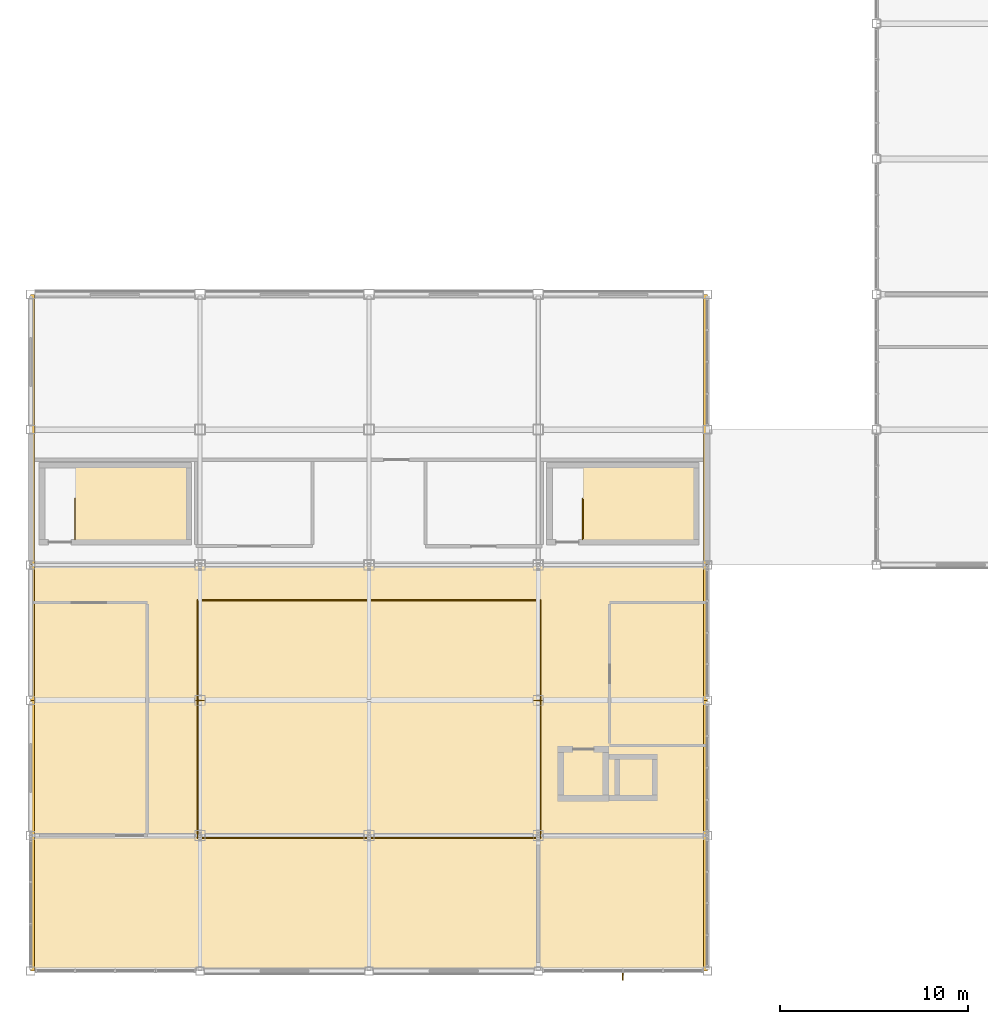
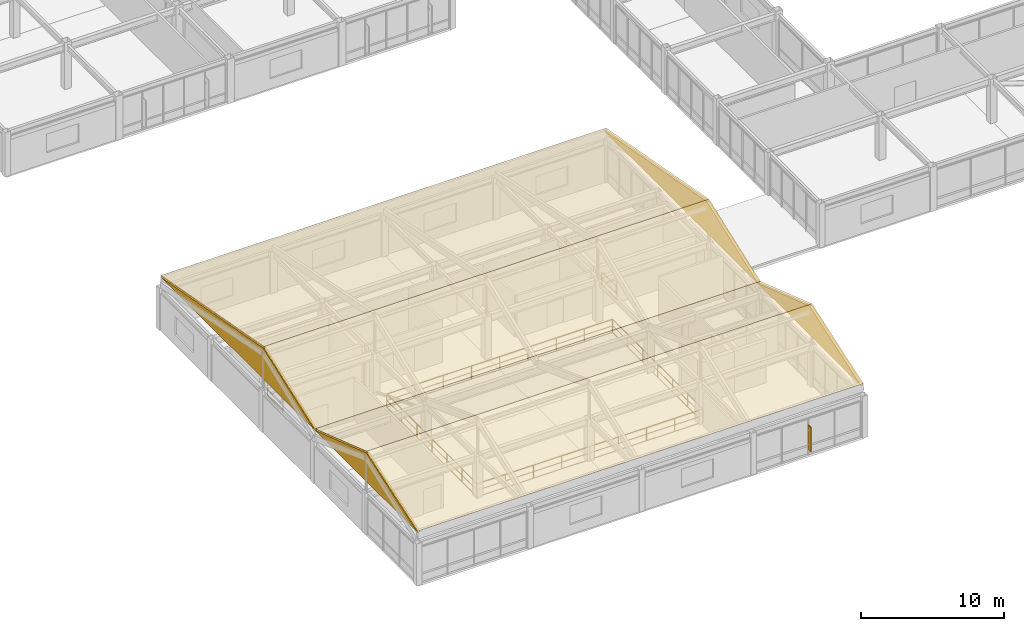
# One storey, part 107 of 113: 8 coverings, 6 railings, 1 shading device.
"""IFC4 building model written with IfcOpenShell, lengths in metres."""

import ifcopenshell
import ifcopenshell.guid

model = None  # the IFC model being written
_history = None  # IfcOwnerHistory: only IFC2X3 demands one
_inside = {}  # id of a spatial element -> (the spatial element, [elements in it])
_under = {}  # id of a project, library or spatial element -> (it, [spatial elements below it])
_declared = {}  # id of a project -> (the project, [libraries it declares])
_typed = {}  # id of a type object -> (the type object, [elements of that type])
_made_of = {}  # id of a material, layer set ... -> (it, [elements and type objects made of it])


def new_model(schema):
    """Start an empty IFC model of exactly this schema.

    Asked for "IFC4X3", IfcOpenShell would pick the latest addendum, in which some entities
    have other attributes; the version numbers below select the first issue.
    IFC2X3 requires an IfcOwnerHistory on every rooted entity: one is made here for all.
    """
    global model, _history
    if schema == "IFC4X3":
        model = ifcopenshell.file(schema_version=(4, 3, 0, 0))
    else:
        model = ifcopenshell.file(schema=schema)
    _inside.clear()
    _under.clear()
    _declared.clear()
    _typed.clear()
    _made_of.clear()
    _history = None
    if model.schema == "IFC2X3":
        org = make("IfcOrganization", Name="unknown")
        user = make(
            "IfcPersonAndOrganization",
            ThePerson=make("IfcPerson", FamilyName="unknown"),
            TheOrganization=org,
        )
        app = make(
            "IfcApplication",
            ApplicationDeveloper=org,
            Version="unknown",
            ApplicationFullName="unknown",
            ApplicationIdentifier="unknown",
        )
        _history = make(
            "IfcOwnerHistory",
            OwningUser=user,
            OwningApplication=app,
            ChangeAction="ADDED",
            CreationDate=0,
        )
    return model


def make(cls, **values):
    """One entity of the class cls with the attributes given. An attribute that is None is left unset."""
    return model.create_entity(
        cls, **{name: value for name, value in values.items() if value is not None}
    )


def rooted(cls, **values):
    """An entity with a GlobalId (a new one), such as an element, a storey or a relation."""
    return make(cls, GlobalId=ifcopenshell.guid.new(), OwnerHistory=_history, **values)


def si_unit(unit_type, name, prefix=None):
    """IfcSIUnit, for example si_unit("LENGTHUNIT", "METRE", prefix="MILLI")."""
    return make("IfcSIUnit", UnitType=unit_type, Prefix=prefix, Name=name)


def assignment(units):
    """IfcUnitAssignment: the units of a project."""
    return None if units is None else make("IfcUnitAssignment", Units=units)


def point(xyz):
    """IfcCartesianPoint."""
    return None if xyz is None else make("IfcCartesianPoint", Coordinates=xyz)


def direction(xyz):
    """IfcDirection."""
    return None if xyz is None else make("IfcDirection", DirectionRatios=xyz)


def frame(location, z_axis=None, x_axis=None):
    """IfcAxis2Placement3D, a coordinate frame: its origin and axes. An axis left out is left unset."""
    return make(
        "IfcAxis2Placement3D",
        Location=point(location),
        Axis=direction(z_axis),
        RefDirection=direction(x_axis),
    )


def frame_2d(location, x_axis=None):
    """IfcAxis2Placement2D, a coordinate frame in the plane: its origin and x axis."""
    return make(
        "IfcAxis2Placement2D", Location=point(location), RefDirection=direction(x_axis)
    )


def origin():
    """The frame at (0, 0, 0) with its axes left unset."""
    return frame((0.0, 0.0, 0.0))


def origin_2d():
    """The frame at (0, 0) in the plane with its x axis left unset."""
    return frame_2d((0.0, 0.0))


def place(relative_to, where):
    """IfcLocalPlacement: puts the frame where relative to a parent placement (None: the world)."""
    return make(
        "IfcLocalPlacement", PlacementRelTo=relative_to, RelativePlacement=where
    )


def context(
    kind, dimensions, precision=None, world=None, true_north=None, identifier=None
):
    """IfcGeometricRepresentationContext, for example the 3D "Model" context."""
    return make(
        "IfcGeometricRepresentationContext",
        ContextIdentifier=identifier,
        ContextType=kind,
        CoordinateSpaceDimension=dimensions,
        Precision=precision,
        WorldCoordinateSystem=world,
        TrueNorth=true_north,
    )


def subcontext(parent, identifier, kind, view, scale=None):
    """IfcGeometricRepresentationSubContext, for example "Body" below "Model"."""
    return make(
        "IfcGeometricRepresentationSubContext",
        ContextIdentifier=identifier,
        ContextType=kind,
        ParentContext=parent,
        TargetScale=scale,
        TargetView=view,
    )


def project(units=None, contexts=None):
    """IfcProject with its units and contexts."""
    return rooted(
        "IfcProject",
        Name="project",
        RepresentationContexts=contexts,
        UnitsInContext=assignment(units),
    )


def spatial(cls, under=None, at=None, **own):
    """A site, building, storey or space (cls), placed at a placement, below another one or the project."""
    s = rooted(cls, ObjectPlacement=at, **own)
    if under is not None:
        _under.setdefault(under.id(), (under, []))[1].append(s)
    return s


def polyline(points):
    """IfcPolyline through the points."""
    return make("IfcPolyline", Points=[point(p) for p in points])


def profile(cls, at=None, kind="AREA", **sizes):
    """A parametric profile (cls). Its sizes go by their IFC names, for example OverallWidth=200.0."""
    return make(cls, ProfileType=kind, Position=at, **sizes)


def rectangle(**sizes):
    """IfcRectangleProfileDef."""
    return profile("IfcRectangleProfileDef", **sizes)


def outline(outer, holes=None, kind="AREA"):
    """IfcArbitraryClosedProfileDef: a profile drawn as a closed curve; with holes, ...WithVoids."""
    if holes is None:
        return make("IfcArbitraryClosedProfileDef", ProfileType=kind, OuterCurve=outer)
    return make(
        "IfcArbitraryProfileDefWithVoids",
        ProfileType=kind,
        OuterCurve=outer,
        InnerCurves=holes,
    )


def extrude(swept, where, along, depth):
    """IfcExtrudedAreaSolid: the profile swept, set in the frame where, extruded along a direction by depth."""
    return make(
        "IfcExtrudedAreaSolid",
        SweptArea=swept,
        Position=where,
        ExtrudedDirection=direction(along),
        Depth=depth,
    )


def shape(context_of_items, identifier, shape_type, items):
    """IfcShapeRepresentation: the items that make up one representation, for example the "Body"."""
    return make(
        "IfcShapeRepresentation",
        ContextOfItems=context_of_items,
        RepresentationIdentifier=identifier,
        RepresentationType=shape_type,
        Items=items,
    )


def material(Name=None, Category=None):
    """IfcMaterial."""
    return make("IfcMaterial", Name=Name, Category=Category)


def layer(
    of_material, thickness, ventilated=None, Name=None, Category=None, Priority=None
):
    """IfcMaterialLayer: one layer of a wall or slab, of a material (None: an air gap)."""
    return make(
        "IfcMaterialLayer",
        Material=of_material,
        LayerThickness=thickness,
        IsVentilated=ventilated,
        Name=Name,
        Category=Category,
        Priority=Priority,
    )


def layer_set(layers, Name=None):
    """IfcMaterialLayerSet."""
    return make("IfcMaterialLayerSet", MaterialLayers=layers, LayerSetName=Name)


def made_of(thing, what):
    """Note that an element or type object is made of a material, layer set ...; save() writes the relation."""
    if what is not None:
        _made_of.setdefault(what.id(), (what, []))[1].append(thing)
    return thing


def type_object(cls, material=None, **own):
    """A type object (cls), such as IfcWallType, which elements share."""
    return made_of(rooted(cls, **own), material)


def element(
    cls,
    number,
    at=None,
    inside=None,
    cuts=None,
    type_object=None,
    material=None,
    context=None,
    identifier="Body",
    shape_type=None,
    held_by="IfcProductDefinitionShape",
    body=None,
    shapes=None,
    **own,
):
    """One element of the class cls, such as IfcWall. Its Tag is "e" and its number.

    at: its placement. inside: the storey or other place that contains it. cuts: it is an
    opening in that element (IfcRelVoidsElement). A single representation is given by context,
    identifier, shape_type and body (its items); several are given by shapes. held_by: the class
    of the entity that holds the representations. save() writes the other relations.
    """
    e = rooted(cls, Tag="e%d" % number, ObjectPlacement=at, **own)
    if body is not None:
        shapes = [shape(context, identifier, shape_type, body)]
    if shapes is not None:
        e.Representation = make(held_by, Representations=shapes)
    if inside is not None:
        _inside.setdefault(inside.id(), (inside, []))[1].append(e)
    if cuts is not None:
        rooted(
            "IfcRelVoidsElement", RelatingBuildingElement=cuts, RelatedOpeningElement=e
        )
    if type_object is not None:
        _typed.setdefault(type_object.id(), (type_object, []))[1].append(e)
    return made_of(e, material)


def aggregate(whole, parts):
    """IfcRelAggregates: a whole, such as a stair, and the parts it consists of."""
    return rooted("IfcRelAggregates", RelatingObject=whole, RelatedObjects=parts)


def save(model, path):
    """Write the relations noted so far, then the file.

    IfcRelAggregates (storeys below a building ...), IfcRelContainedInSpatialStructure (elements
    in a storey), IfcRelDefinesByType, IfcRelAssociatesMaterial and IfcRelDeclares: one each for
    every whole, place, type object, material and project.
    """
    for whole, parts in _under.values():
        aggregate(whole, parts)
    for where, things in _inside.values():
        rooted(
            "IfcRelContainedInSpatialStructure",
            RelatedElements=things,
            RelatingStructure=where,
        )
    for kind, things in _typed.values():
        rooted("IfcRelDefinesByType", RelatedObjects=things, RelatingType=kind)
    for what, things in _made_of.values():
        rooted("IfcRelAssociatesMaterial", RelatedObjects=things, RelatingMaterial=what)
    for by, libraries in _declared.values():
        rooted("IfcRelDeclares", RelatingContext=by, RelatedDefinitions=libraries)
    model.write(path)


model = new_model("IFC4")

# Units and contexts
model_context = context("Model", 3, precision=1e-05, world=origin(), true_north=direction((0.0, 1.0)))
body_context = subcontext(model_context, "Body", "Model", "MODEL_VIEW")
ifc_project = project(units=[si_unit("LENGTHUNIT", "METRE"), si_unit("AREAUNIT", "SQUARE_METRE"), si_unit("VOLUMEUNIT", "CUBIC_METRE"), si_unit("PLANEANGLEUNIT", "RADIAN"), si_unit("MASSUNIT", "GRAM", prefix="KILO")], contexts=[model_context])

# Site, building, storey
site_placement = place(None, origin())
site = spatial("IfcSite", under=ifc_project, at=site_placement, CompositionType="ELEMENT")
building_placement = place(site_placement, origin())
building = spatial("IfcBuilding", under=site, at=building_placement, Name="Kazanami Central Library", CompositionType="ELEMENT")
storey_placement = place(building_placement, frame((0.0, 0.0, 8.800048828125)))
storey = spatial("IfcBuildingStorey", under=building, at=storey_placement, Name="L03", CompositionType="ELEMENT", Elevation=8.800048828125)

# Coverings
ifc_material_1 = material(Name="Honed Inada Granite", Category="masonry")
ifc_layer_1 = layer(ifc_material_1, 0.199951171875, Name="Honed Inada Granite")
ifc_layer_set_1 = layer_set([ifc_layer_1], Name="Honed Inada Granite")
covering_type_1 = type_object("IfcCoveringType", Name="COV-GAB-200", PredefinedType="CLADDING", material=ifc_layer_set_1)
for number, where, z_axis, x_axis, name in (
    (1, (0.199951171875, 0.0, 4.35986328125), (1.0, 0.0, 0.0), (0.0, 1.0, 0.0), "Granite Gable Pediment FOLD-L03-V3-S (W)"),
    (2, (36.0, 0.0, 4.35986328125), (1.0, 0.0, 0.0), (0.0, 1.0, 0.0), "Granite Gable Pediment FOLD-L03-V3-S (E)"),
):
    element("IfcCovering", number, at=place(storey_placement, frame(where, z_axis=z_axis, x_axis=x_axis)), inside=storey, type_object=covering_type_1, Name=name, PredefinedType="CLADDING", context=body_context, shape_type="SweptSolid", body=[
        extrude(outline(polyline([(0.0, 0.0), (14.39990234375, 0.0), (7.199951171875, 2.4501953125), (0.0, 0.0)])), origin(), (0.0, 0.0, -1.0), 0.199951171875),
    ])
for number, where, z_axis, x_axis, name in (
    (3, (0.199951171875, 14.39990234375, 4.35986328125), (1.0, 0.0, 0.0), (0.0, 1.0, 0.0), "Granite Gable Pediment FOLD-L03-V3-N (W)"),
    (4, (36.0, 14.39990234375, 4.35986328125), (1.0, 0.0, 0.0), (0.0, 1.0, 0.0), "Granite Gable Pediment FOLD-L03-V3-N (E)"),
):
    element("IfcCovering", number, at=place(storey_placement, frame(where, z_axis=z_axis, x_axis=x_axis)), inside=storey, type_object=covering_type_1, Name=name, PredefinedType="CLADDING", context=body_context, shape_type="SweptSolid", body=[
        extrude(outline(polyline([(0.0, 0.0), (21.60009765625, 0.0), (7.2001953125, 2.650146484375), (0.0, 0.0)])), origin(), (0.0, 0.0, -1.0), 0.199951171875),
    ])
ifc_material_2 = material(Name="Standing-Seam Titanium Zinc")
ifc_layer_2 = layer(ifc_material_2, 0.034912109375, Name="Standing-Seam Titanium Zinc")
ifc_layer_set_2 = layer_set([ifc_layer_2], Name="Standing-Seam Titanium Zinc")
covering_type_2 = type_object("IfcCoveringType", Name="COV-ZNC-35", PredefinedType="ROOFING", material=ifc_layer_set_2)
for number, where, z_axis, x_axis, name in (
    (5, (0.0, 0.0, 4.4892578125), (0.0, -0.322134648064, 0.946693862089), (1.0, 0.0, 0.0), "Standing-Seam Zinc Roofing South FOLD-L03-V3-S"),
    (6, (36.0, 14.39990234375, 4.4892578125), (0.0, 0.322134648064, 0.946693862089), (-1.0, 0.0, 0.0), "Standing-Seam Zinc Roofing North FOLD-L03-V3-S"),
):
    element("IfcCovering", number, at=place(storey_placement, frame(where, z_axis=z_axis, x_axis=x_axis)), inside=storey, type_object=covering_type_2, Name=name, PredefinedType="ROOFING", context=body_context, shape_type="SweptSolid", body=[
        extrude(outline(polyline([(0.0, 0.0), (36.0, 0.0), (36.0, 7.605363740279349), (0.0, 7.605363740279349), (0.0, 0.0)])), origin(), (0.0, 0.0, -1.0), 0.034912109375),
    ])
covering_1_placement = place(storey_placement, frame((0.0, 14.39990234375, 4.49169921875), z_axis=(0.0, -0.345383870004, 0.938461497527), x_axis=(1.0, 0.0, 0.0)))
element("IfcCovering", 7, at=covering_1_placement, inside=storey, type_object=covering_type_2, Name="Standing-Seam Zinc Roofing South FOLD-L03-V3-N", PredefinedType="ROOFING", context=body_context, shape_type="SweptSolid", body=[
    extrude(outline(polyline([(0.0, 0.0), (36.0, 0.0), (36.0, 7.672339602074372), (0.0, 7.672339602074372), (0.0, 0.0)])), origin(), (0.0, 0.0, -1.0), 0.034912109375),
])
covering_2_placement = place(storey_placement, frame((36.0, 36.0, 4.489990234375), z_axis=(0.0, 0.180983330839, 0.983486163583), x_axis=(-1.0, 0.0, 0.0)))
element("IfcCovering", 8, at=covering_2_placement, inside=storey, type_object=covering_type_2, Name="Standing-Seam Zinc Roofing North FOLD-L03-V3-N", PredefinedType="ROOFING", context=body_context, shape_type="SweptSolid", body=[
    extrude(outline(polyline([(0.0, 0.0), (36.0, 0.0), (36.0, 14.641692864588729), (0.0, 14.641692864588729), (0.0, 0.0)])), origin(), (0.0, 0.0, -1.0), 0.034912109375),
])

# Railings
ifc_material_3 = material(Name="Stainless Steel SUS304", Category="steel")
railing_type_1 = type_object("IfcRailingType", Name="RAL-GR-A1", PredefinedType="GUARDRAIL", material=ifc_material_3)
railing_1_placement = place(storey_placement, frame((8.8798828125, 7.080078125, 0.0)))
element("IfcRailing", 9, at=railing_1_placement, inside=storey, type_object=railing_type_1, Name="Civic Auditorium Void Guard GR-A1 L03 (S)", PredefinedType="GUARDRAIL", context=body_context, shape_type="SweptSolid", body=[
    extrude(rectangle(XDim=0.0439453125, YDim=0.0439453125, at=origin_2d()), frame((0.02587890625, 0.0, 1.1279296875), z_axis=(1.0, 0.0, 0.0), x_axis=(0.0, 1.0, 0.0)), (0.0, 0.0, 1.0), 18.188232421875),
    extrude(rectangle(XDim=0.02392578125, YDim=0.02392578125, at=origin_2d()), frame((0.02587890625, 0.0, 0.015869140625), z_axis=(1.0, 0.0, 0.0), x_axis=(0.0, 1.0, 0.0)), (0.0, 0.0, 1.0), 18.188232421875),
    extrude(rectangle(XDim=0.02392578125, YDim=0.02392578125, at=origin_2d()), frame((0.02587890625, 0.0, 0.574951171875), z_axis=(1.0, 0.0, 0.0), x_axis=(0.0, 1.0, 0.0)), (0.0, 0.0, 1.0), 18.188232421875),
    extrude(rectangle(XDim=0.035888671875, YDim=0.035888671875, at=origin_2d()), origin(), (0.0, 0.0, 1.0), 1.10205078125),
    extrude(rectangle(XDim=0.035888671875, YDim=0.035888671875, at=origin_2d()), frame((2.280029296875, 0.0, 0.0)), (0.0, 0.0, 1.0), 1.10205078125),
    extrude(rectangle(XDim=0.035888671875, YDim=0.035888671875, at=origin_2d()), frame((4.56005859375, 0.0, 0.0)), (0.0, 0.0, 1.0), 1.10205078125),
    extrude(rectangle(XDim=0.035888671875, YDim=0.035888671875, at=origin_2d()), frame((6.840087890625, 0.0, 0.0)), (0.0, 0.0, 1.0), 1.10205078125),
    extrude(rectangle(XDim=0.035888671875, YDim=0.035888671875, at=origin_2d()), frame((9.1201171875, 0.0, 0.0)), (0.0, 0.0, 1.0), 1.10205078125),
    extrude(rectangle(XDim=0.035888671875, YDim=0.035888671875, at=origin_2d()), frame((11.400146484375, 0.0, 0.0)), (0.0, 0.0, 1.0), 1.10205078125),
    extrude(rectangle(XDim=0.035888671875, YDim=0.035888671875, at=origin_2d()), frame((13.68017578125, 0.0, 0.0)), (0.0, 0.0, 1.0), 1.10205078125),
    extrude(rectangle(XDim=0.035888671875, YDim=0.035888671875, at=origin_2d()), frame((15.960205078125, 0.0, 0.0)), (0.0, 0.0, 1.0), 1.10205078125),
    extrude(rectangle(XDim=0.035888671875, YDim=0.035888671875, at=origin_2d()), frame((18.240234375, 0.0, 0.0)), (0.0, 0.0, 1.0), 1.10205078125),
])
railing_2_placement = place(storey_placement, frame((27.1201171875, 7.080078125, 0.0)))
element("IfcRailing", 10, at=railing_2_placement, inside=storey, type_object=railing_type_1, Name="Civic Auditorium Void Guard GR-A1 L03 (E)", PredefinedType="GUARDRAIL", context=body_context, shape_type="SweptSolid", body=[
    extrude(rectangle(XDim=0.0439453125, YDim=0.0439453125, at=origin_2d()), frame((0.0, 0.02587890625, 1.1279296875), z_axis=(0.0, 1.0, 0.0), x_axis=(-1.0, 0.0, 0.0)), (0.0, 0.0, 1.0), 12.587890625),
    extrude(rectangle(XDim=0.02392578125, YDim=0.02392578125, at=origin_2d()), frame((0.0, 0.02587890625, 0.015869140625), z_axis=(0.0, 1.0, 0.0), x_axis=(-1.0, 0.0, 0.0)), (0.0, 0.0, 1.0), 12.587890625),
    extrude(rectangle(XDim=0.02392578125, YDim=0.02392578125, at=origin_2d()), frame((0.0, 0.02587890625, 0.574951171875), z_axis=(0.0, 1.0, 0.0), x_axis=(-1.0, 0.0, 0.0)), (0.0, 0.0, 1.0), 12.587890625),
    extrude(rectangle(XDim=0.035888671875, YDim=0.035888671875, at=origin_2d()), origin(), (0.0, 0.0, 1.0), 1.10205078125),
    extrude(rectangle(XDim=0.035888671875, YDim=0.035888671875, at=origin_2d()), frame((0.0, 2.106689453125, 0.0)), (0.0, 0.0, 1.0), 1.10205078125),
    extrude(rectangle(XDim=0.035888671875, YDim=0.035888671875, at=origin_2d()), frame((0.0, 4.21337890625, 0.0)), (0.0, 0.0, 1.0), 1.10205078125),
    extrude(rectangle(XDim=0.035888671875, YDim=0.035888671875, at=origin_2d()), frame((0.0, 6.31982421875, 0.0)), (0.0, 0.0, 1.0), 1.10205078125),
    extrude(rectangle(XDim=0.035888671875, YDim=0.035888671875, at=origin_2d()), frame((0.0, 8.426513671875, 0.0)), (0.0, 0.0, 1.0), 1.10205078125),
    extrude(rectangle(XDim=0.035888671875, YDim=0.035888671875, at=origin_2d()), frame((0.0, 10.533203125, 0.0)), (0.0, 0.0, 1.0), 1.10205078125),
    extrude(rectangle(XDim=0.035888671875, YDim=0.035888671875, at=origin_2d()), frame((0.0, 12.639892578125, 0.0)), (0.0, 0.0, 1.0), 1.10205078125),
])
railing_3_placement = place(storey_placement, frame((27.1201171875, 19.719970703125, 0.0)))
element("IfcRailing", 11, at=railing_3_placement, inside=storey, type_object=railing_type_1, Name="Civic Auditorium Void Guard GR-A1 L03 (N)", PredefinedType="GUARDRAIL", context=body_context, shape_type="SweptSolid", body=[
    extrude(rectangle(XDim=0.0439453125, YDim=0.0439453125, at=origin_2d()), frame((-0.02587890625, 0.0, 1.1279296875), z_axis=(-1.0, 0.0, 0.0), x_axis=(0.0, -1.0, 0.0)), (0.0, 0.0, 1.0), 18.188232421875),
    extrude(rectangle(XDim=0.02392578125, YDim=0.02392578125, at=origin_2d()), frame((-0.02587890625, 0.0, 0.015869140625), z_axis=(-1.0, 0.0, 0.0), x_axis=(0.0, -1.0, 0.0)), (0.0, 0.0, 1.0), 18.188232421875),
    extrude(rectangle(XDim=0.02392578125, YDim=0.02392578125, at=origin_2d()), frame((-0.02587890625, 0.0, 0.574951171875), z_axis=(-1.0, 0.0, 0.0), x_axis=(0.0, -1.0, 0.0)), (0.0, 0.0, 1.0), 18.188232421875),
    extrude(rectangle(XDim=0.035888671875, YDim=0.035888671875, at=origin_2d()), origin(), (0.0, 0.0, 1.0), 1.10205078125),
    extrude(rectangle(XDim=0.035888671875, YDim=0.035888671875, at=origin_2d()), frame((-2.280029296875, 0.0, 0.0)), (0.0, 0.0, 1.0), 1.10205078125),
    extrude(rectangle(XDim=0.035888671875, YDim=0.035888671875, at=origin_2d()), frame((-4.56005859375, 0.0, 0.0)), (0.0, 0.0, 1.0), 1.10205078125),
    extrude(rectangle(XDim=0.035888671875, YDim=0.035888671875, at=origin_2d()), frame((-6.840087890625, 0.0, 0.0)), (0.0, 0.0, 1.0), 1.10205078125),
    extrude(rectangle(XDim=0.035888671875, YDim=0.035888671875, at=origin_2d()), frame((-9.1201171875, 0.0, 0.0)), (0.0, 0.0, 1.0), 1.10205078125),
    extrude(rectangle(XDim=0.035888671875, YDim=0.035888671875, at=origin_2d()), frame((-11.400146484375, 0.0, 0.0)), (0.0, 0.0, 1.0), 1.10205078125),
    extrude(rectangle(XDim=0.035888671875, YDim=0.035888671875, at=origin_2d()), frame((-13.68017578125, 0.0, 0.0)), (0.0, 0.0, 1.0), 1.10205078125),
    extrude(rectangle(XDim=0.035888671875, YDim=0.035888671875, at=origin_2d()), frame((-15.960205078125, 0.0, 0.0)), (0.0, 0.0, 1.0), 1.10205078125),
    extrude(rectangle(XDim=0.035888671875, YDim=0.035888671875, at=origin_2d()), frame((-18.240234375, 0.0, 0.0)), (0.0, 0.0, 1.0), 1.10205078125),
])
railing_4_placement = place(storey_placement, frame((8.8798828125, 19.719970703125, 0.0)))
element("IfcRailing", 12, at=railing_4_placement, inside=storey, type_object=railing_type_1, Name="Civic Auditorium Void Guard GR-A1 L03 (W)", PredefinedType="GUARDRAIL", context=body_context, shape_type="SweptSolid", body=[
    extrude(rectangle(XDim=0.0439453125, YDim=0.0439453125, at=origin_2d()), frame((0.0, -0.02587890625, 1.1279296875), z_axis=(0.0, -1.0, 0.0), x_axis=(1.0, 0.0, 0.0)), (0.0, 0.0, 1.0), 12.587890625),
    extrude(rectangle(XDim=0.02392578125, YDim=0.02392578125, at=origin_2d()), frame((0.0, -0.02587890625, 0.015869140625), z_axis=(0.0, -1.0, 0.0), x_axis=(1.0, 0.0, 0.0)), (0.0, 0.0, 1.0), 12.587890625),
    extrude(rectangle(XDim=0.02392578125, YDim=0.02392578125, at=origin_2d()), frame((0.0, -0.02587890625, 0.574951171875), z_axis=(0.0, -1.0, 0.0), x_axis=(1.0, 0.0, 0.0)), (0.0, 0.0, 1.0), 12.587890625),
    extrude(rectangle(XDim=0.035888671875, YDim=0.035888671875, at=origin_2d()), origin(), (0.0, 0.0, 1.0), 1.10205078125),
    extrude(rectangle(XDim=0.035888671875, YDim=0.035888671875, at=origin_2d()), frame((0.0, -2.106689453125, 0.0)), (0.0, 0.0, 1.0), 1.10205078125),
    extrude(rectangle(XDim=0.035888671875, YDim=0.035888671875, at=origin_2d()), frame((0.0, -4.21337890625, 0.0)), (0.0, 0.0, 1.0), 1.10205078125),
    extrude(rectangle(XDim=0.035888671875, YDim=0.035888671875, at=origin_2d()), frame((0.0, -6.31982421875, 0.0)), (0.0, 0.0, 1.0), 1.10205078125),
    extrude(rectangle(XDim=0.035888671875, YDim=0.035888671875, at=origin_2d()), frame((0.0, -8.426513671875, 0.0)), (0.0, 0.0, 1.0), 1.10205078125),
    extrude(rectangle(XDim=0.035888671875, YDim=0.035888671875, at=origin_2d()), frame((0.0, -10.533203125, 0.0)), (0.0, 0.0, 1.0), 1.10205078125),
    extrude(rectangle(XDim=0.035888671875, YDim=0.035888671875, at=origin_2d()), frame((0.0, -12.639892578125, 0.0)), (0.0, 0.0, 1.0), 1.10205078125),
])
railing_type_2 = type_object("IfcRailingType", Name="RAL-GR-S1", PredefinedType="GUARDRAIL", material=ifc_material_3)
for number, where, name in (
    (13, (2.360107421875, 22.969970703125, 0.0), "Stair Well Guard ST-07 L03"),
    (14, (29.360107421875, 22.969970703125, 0.0), "Stair Well Guard ST-08 L03"),
):
    element("IfcRailing", number, at=place(storey_placement, frame(where)), inside=storey, type_object=railing_type_2, Name=name, PredefinedType="GUARDRAIL", context=body_context, shape_type="SweptSolid", body=[
        extrude(rectangle(XDim=0.0439453125, YDim=0.0439453125, at=origin_2d()), frame((0.0, 0.02587890625, 1.1279296875), z_axis=(0.0, 1.0, 0.0), x_axis=(-1.0, 0.0, 0.0)), (0.0, 0.0, 1.0), 2.10791015625),
        extrude(rectangle(XDim=0.02392578125, YDim=0.02392578125, at=origin_2d()), frame((0.0, 0.02587890625, 0.015869140625), z_axis=(0.0, 1.0, 0.0), x_axis=(-1.0, 0.0, 0.0)), (0.0, 0.0, 1.0), 2.10791015625),
        extrude(rectangle(XDim=0.02392578125, YDim=0.02392578125, at=origin_2d()), frame((0.0, 0.02587890625, 0.574951171875), z_axis=(0.0, 1.0, 0.0), x_axis=(-1.0, 0.0, 0.0)), (0.0, 0.0, 1.0), 2.10791015625),
        extrude(rectangle(XDim=0.035888671875, YDim=0.035888671875, at=origin_2d()), origin(), (0.0, 0.0, 1.0), 1.10205078125),
        extrude(rectangle(XDim=0.035888671875, YDim=0.035888671875, at=origin_2d()), frame((0.0, 2.159912109375, 0.0)), (0.0, 0.0, 1.0), 1.10205078125),
    ])

# Shading device
ifc_material_4 = material(Name="Anodised Bronze-Grey Aluminium A6063-T5", Category="aluminium")
shading_device_type = type_object("IfcShadingDeviceType", Name="SHD-FIN-1", PredefinedType="USERDEFINED", material=ifc_material_4)
shading_device_placement = place(storey_placement, frame((31.5, -0.300048828125, 0.514892578125), z_axis=(0.0, 0.0, 1.0), x_axis=(1.0, 0.0, 0.0)))
element("IfcShadingDevice", 15, at=shading_device_placement, inside=storey, type_object=shading_device_type, Name="Vertical Solar Fin SF-01 L03 S-A-03.1", ObjectType="SOLAR FIN", PredefinedType="USERDEFINED", context=body_context, shape_type="SweptSolid", body=[
    extrude(rectangle(XDim=0.06005859375, YDim=0.360107421875, at=origin_2d()), origin(), (0.0, 0.0, 1.0), 2.10009765625),
])

save(model, "model.ifc")
